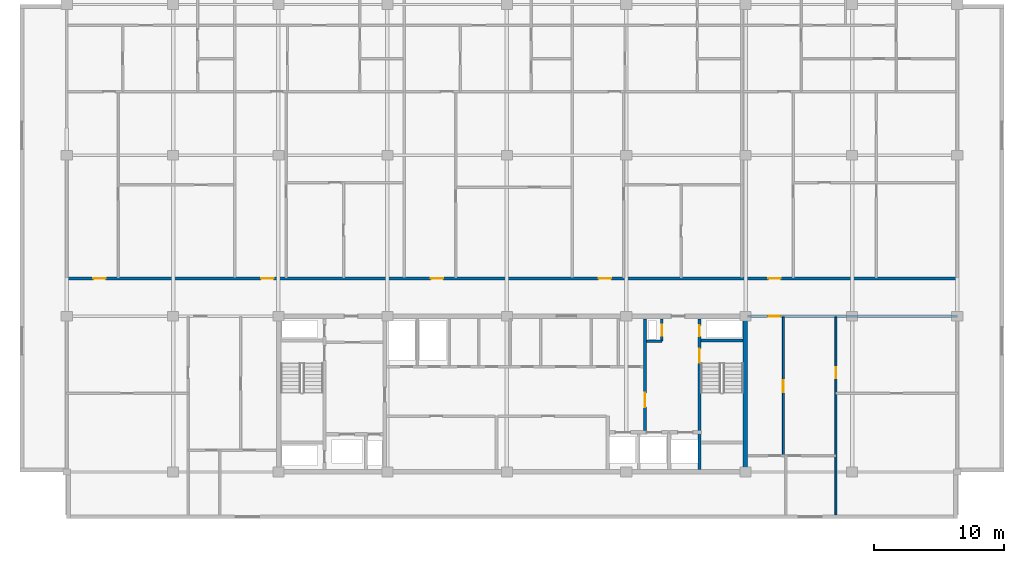
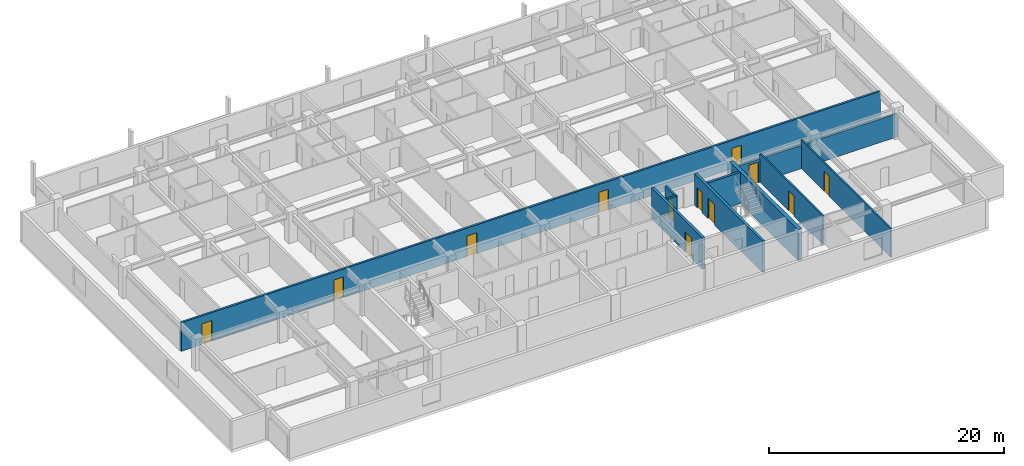
# One storey, part 6 of 11: 12 doors, 10 walls, 12 openings.
"""IFC4 building model written with IfcOpenShell, lengths in metres."""

from ifc_helpers import new_model, si_unit, direction, frame, frame_2d, origin, place, context, subcontext, project, spatial, rectangle, extrude, material, layer, layer_set, type_object, element, fill, save


model = new_model("IFC4")

# Units and contexts
model_context = context("Model", 3, precision=1e-05, world=origin(), true_north=direction((0.0, 1.0)))
body_context = subcontext(model_context, "Body", "Model", "MODEL_VIEW")
ifc_project = project(units=[si_unit("LENGTHUNIT", "METRE"), si_unit("AREAUNIT", "SQUARE_METRE"), si_unit("VOLUMEUNIT", "CUBIC_METRE"), si_unit("PLANEANGLEUNIT", "RADIAN"), si_unit("MASSUNIT", "GRAM", prefix="KILO")], contexts=[model_context])

# Site, building, storey
site_placement = place(None, origin())
site = spatial("IfcSite", under=ifc_project, at=site_placement, CompositionType="ELEMENT")
building_placement = place(site_placement, origin())
building = spatial("IfcBuilding", under=site, at=building_placement, Name="Korimba Cascade Residences", CompositionType="ELEMENT")
storey_placement = place(building_placement, frame((0.0, 0.0, 210.85009765625)))
storey = spatial("IfcBuildingStorey", under=building, at=storey_placement, Name="L61", CompositionType="ELEMENT", Elevation=210.85009765625)

# Wall
ifc_material_1 = material(Name="Concrete C65/80", Category="concrete")
ifc_layer_1 = layer(ifc_material_1, 0.35009765625)
ifc_layer_set_1 = layer_set([ifc_layer_1], Name="Concrete C65/80")
wall_type_1 = type_object("IfcWallType", Name="WAL-CORE-350", PredefinedType="SHEAR", material=ifc_layer_set_1)
wall_1_placement = place(storey_placement, frame((112.074951171875, 55.375, 0.0), z_axis=(0.0, 0.0, 1.0), x_axis=(0.0, 1.0, 0.0)))
element("IfcWall", 1, at=wall_1_placement, inside=storey, type_object=wall_type_1, Name="L61 Core Shear Wall CW-L61-T1-E", PredefinedType="SHEAR", context=body_context, shape_type="SweptSolid", body=[
    extrude(rectangle(XDim=11.64990234375, YDim=0.35009765625, at=frame_2d((5.824951171875, 0.0))), origin(), (0.0, 0.0, 1.0), 3.25),
])

# Wall, opening, door
ifc_material_2 = material(Name="Precast concrete C40/50", Category="concrete")
ifc_layer_2 = layer(ifc_material_2, 0.199951171875)
ifc_layer_set_2 = layer_set([ifc_layer_2], Name="Precast concrete C40/50")
wall_type_2 = type_object("IfcWallType", Name="WAL-IT-200", PredefinedType="PARTITIONING", material=ifc_layer_set_2)
wall_2_placement = place(storey_placement, frame((112.25, 67.199951171875, 0.0), z_axis=(0.0, 0.0, 1.0), x_axis=(1.0, 0.0, 0.0)))
wall_2 = element("IfcWall", 2, at=wall_2_placement, inside=storey, type_object=wall_type_2, Name="L61 Partition Wall WAL-L61-T1-FE-N", PredefinedType="PARTITIONING", context=body_context, shape_type="SweptSolid", body=[
    extrude(rectangle(XDim=16.14990234375, YDim=0.199951171875, at=frame_2d((8.074951171875, 0.0))), origin(), (0.0, 0.0, 1.0), 2.43310546875),
])
opening_1_placement = place(wall_2_placement, frame((1.580078125, 0.0, 0.0)))
opening_1 = element("IfcOpeningElement", 3, at=opening_1_placement, cuts=wall_2, Name="Opening D-UN1", PredefinedType="OPENING", context=body_context, shape_type="SweptSolid", body=[
    extrude(rectangle(XDim=0.949951171875, YDim=2.14990234375, at=frame_2d((0.47509765625, 1.074951171875))), frame((0.0, 0.10986328125, 0.0), z_axis=(0.0, -1.0, 0.0), x_axis=(1.0, 0.0, 0.0)), (0.0, 0.0, 1.0), 0.219970703125),
])
ifc_material_3 = material(Name="Fire-Rated Hardwood Apartment Entrance Door", Category="wood")
door_type_1 = type_object("IfcDoorType", Name="DR-FD60-950", OperationType="NOTDEFINED", PredefinedType="DOOR", material=ifc_material_3)
door_1_placement = place(opening_1_placement, origin())
door_1 = element("IfcDoor", 4, at=door_1_placement, inside=storey, type_object=door_type_1, Name="L61-T1-FE Entrance Door", OperationType="SINGLE_SWING_LEFT", OverallHeight=2.14990234375, OverallWidth=0.949951171875, PredefinedType="DOOR", context=body_context, shape_type="SweptSolid", body=[
    extrude(rectangle(XDim=0.949951171875, YDim=2.14990234375, at=frame_2d((0.47509765625, 1.074951171875))), frame((0.0, 0.02490234375, 0.0), z_axis=(0.0, -1.0, 0.0), x_axis=(1.0, 0.0, 0.0)), (0.0, 0.0, 1.0), 0.050048828125),
])
fill(opening_1, door_1)

# Wall, openings, doors
wall_3_placement = place(storey_placement, frame((59.800048828125, 70.10009765625, 0.0), z_axis=(0.0, 0.0, 1.0), x_axis=(1.0, 0.0, 0.0)))
wall_3 = element("IfcWall", 5, at=wall_3_placement, inside=storey, type_object=wall_type_2, Name="L61 Partition Wall WAL-L61-T1-CORN", PredefinedType="PARTITIONING", context=body_context, shape_type="SweptSolid", body=[
    extrude(rectangle(XDim=68.599853515625, YDim=0.199951171875, at=frame_2d((34.2998046875, 0.0))), origin(), (0.0, 0.0, 1.0), 2.969970703125),
])
opening_2_placement = place(wall_3_placement, frame((2.044921875, 0.0, 0.0)))
opening_2 = element("IfcOpeningElement", 6, at=opening_2_placement, cuts=wall_3, Name="Opening D-UN1", PredefinedType="OPENING", context=body_context, shape_type="SweptSolid", body=[
    extrude(rectangle(XDim=0.949951171875, YDim=2.14990234375, at=frame_2d((0.47509765625, 1.074951171875))), frame((0.0, 0.10986328125, 0.0), z_axis=(0.0, -1.0, 0.0), x_axis=(1.0, 0.0, 0.0)), (0.0, 0.0, 1.0), 0.219970703125),
])
opening_3_placement = place(wall_3_placement, frame((14.981201171875, 0.0, 0.0)))
opening_3 = element("IfcOpeningElement", 7, at=opening_3_placement, cuts=wall_3, Name="Opening D-UN1", PredefinedType="OPENING", context=body_context, shape_type="SweptSolid", body=[
    extrude(rectangle(XDim=0.949951171875, YDim=2.14990234375, at=frame_2d((0.47509765625, 1.074951171875))), frame((0.0, 0.10986328125, 0.0), z_axis=(0.0, -1.0, 0.0), x_axis=(1.0, 0.0, 0.0)), (0.0, 0.0, 1.0), 0.219970703125),
])
opening_4_placement = place(wall_3_placement, frame((28.044921875, 0.0, 0.0)))
opening_4 = element("IfcOpeningElement", 8, at=opening_4_placement, cuts=wall_3, Name="Opening D-UN1", PredefinedType="OPENING", context=body_context, shape_type="SweptSolid", body=[
    extrude(rectangle(XDim=0.949951171875, YDim=2.14990234375, at=frame_2d((0.47509765625, 1.074951171875))), frame((0.0, 0.10986328125, 0.0), z_axis=(0.0, -1.0, 0.0), x_axis=(1.0, 0.0, 0.0)), (0.0, 0.0, 1.0), 0.219970703125),
])
opening_5_placement = place(wall_3_placement, frame((40.981201171875, 0.0, 0.0)))
opening_5 = element("IfcOpeningElement", 9, at=opening_5_placement, cuts=wall_3, Name="Opening D-UN1", PredefinedType="OPENING", context=body_context, shape_type="SweptSolid", body=[
    extrude(rectangle(XDim=0.949951171875, YDim=2.14990234375, at=frame_2d((0.47509765625, 1.074951171875))), frame((0.0, 0.10986328125, 0.0), z_axis=(0.0, -1.0, 0.0), x_axis=(1.0, 0.0, 0.0)), (0.0, 0.0, 1.0), 0.219970703125),
])
opening_6_placement = place(wall_3_placement, frame((54.044921875, 0.0, 0.0)))
opening_6 = element("IfcOpeningElement", 10, at=opening_6_placement, cuts=wall_3, Name="Opening D-UN1", PredefinedType="OPENING", context=body_context, shape_type="SweptSolid", body=[
    extrude(rectangle(XDim=0.949951171875, YDim=2.14990234375, at=frame_2d((0.47509765625, 1.074951171875))), frame((0.0, 0.10986328125, 0.0), z_axis=(0.0, -1.0, 0.0), x_axis=(1.0, 0.0, 0.0)), (0.0, 0.0, 1.0), 0.219970703125),
])
door_2_placement = place(opening_2_placement, origin())
door_2 = element("IfcDoor", 11, at=door_2_placement, inside=storey, type_object=door_type_1, Name="Unit L61-T1-U01 Entrance Door", OperationType="SINGLE_SWING_RIGHT", OverallHeight=2.14990234375, OverallWidth=0.949951171875, PredefinedType="DOOR", context=body_context, shape_type="SweptSolid", body=[
    extrude(rectangle(XDim=0.949951171875, YDim=2.14990234375, at=frame_2d((0.47509765625, 1.074951171875))), frame((0.0, 0.02490234375, 0.0), z_axis=(0.0, -1.0, 0.0), x_axis=(1.0, 0.0, 0.0)), (0.0, 0.0, 1.0), 0.050048828125),
])
fill(opening_2, door_2)
door_3_placement = place(opening_3_placement, origin())
door_3 = element("IfcDoor", 12, at=door_3_placement, inside=storey, type_object=door_type_1, Name="Unit L61-T1-U02 Entrance Door", OperationType="SINGLE_SWING_LEFT", OverallHeight=2.14990234375, OverallWidth=0.949951171875, PredefinedType="DOOR", context=body_context, shape_type="SweptSolid", body=[
    extrude(rectangle(XDim=0.949951171875, YDim=2.14990234375, at=frame_2d((0.47509765625, 1.074951171875))), frame((0.0, 0.02490234375, 0.0), z_axis=(0.0, -1.0, 0.0), x_axis=(1.0, 0.0, 0.0)), (0.0, 0.0, 1.0), 0.050048828125),
])
fill(opening_3, door_3)
door_4_placement = place(opening_4_placement, origin())
door_4 = element("IfcDoor", 13, at=door_4_placement, inside=storey, type_object=door_type_1, Name="Unit L61-T1-U03 Entrance Door", OperationType="SINGLE_SWING_RIGHT", OverallHeight=2.14990234375, OverallWidth=0.949951171875, PredefinedType="DOOR", context=body_context, shape_type="SweptSolid", body=[
    extrude(rectangle(XDim=0.949951171875, YDim=2.14990234375, at=frame_2d((0.47509765625, 1.074951171875))), frame((0.0, 0.02490234375, 0.0), z_axis=(0.0, -1.0, 0.0), x_axis=(1.0, 0.0, 0.0)), (0.0, 0.0, 1.0), 0.050048828125),
])
fill(opening_4, door_4)
door_5_placement = place(opening_5_placement, origin())
door_5 = element("IfcDoor", 14, at=door_5_placement, inside=storey, type_object=door_type_1, Name="Unit L61-T1-U04 Entrance Door", OperationType="SINGLE_SWING_LEFT", OverallHeight=2.14990234375, OverallWidth=0.949951171875, PredefinedType="DOOR", context=body_context, shape_type="SweptSolid", body=[
    extrude(rectangle(XDim=0.949951171875, YDim=2.14990234375, at=frame_2d((0.47509765625, 1.074951171875))), frame((0.0, 0.02490234375, 0.0), z_axis=(0.0, -1.0, 0.0), x_axis=(1.0, 0.0, 0.0)), (0.0, 0.0, 1.0), 0.050048828125),
])
fill(opening_5, door_5)
door_6_placement = place(opening_6_placement, origin())
door_6 = element("IfcDoor", 15, at=door_6_placement, inside=storey, type_object=door_type_1, Name="Unit L61-T1-U05 Entrance Door", OperationType="SINGLE_SWING_RIGHT", OverallHeight=2.14990234375, OverallWidth=0.949951171875, PredefinedType="DOOR", context=body_context, shape_type="SweptSolid", body=[
    extrude(rectangle(XDim=0.949951171875, YDim=2.14990234375, at=frame_2d((0.47509765625, 1.074951171875))), frame((0.0, 0.02490234375, 0.0), z_axis=(0.0, -1.0, 0.0), x_axis=(1.0, 0.0, 0.0)), (0.0, 0.0, 1.0), 0.050048828125),
])
fill(opening_6, door_6)

# Wall, opening, door
ifc_material_4 = material(Name="Insulated Acoustic Stud Partition", Category="gypsum")
ifc_layer_3 = layer(ifc_material_4, 0.14990234375)
ifc_layer_set_3 = layer_set([ifc_layer_3], Name="Insulated Acoustic Stud Partition")
wall_type_3 = type_object("IfcWallType", Name="WAL-PART-150", PredefinedType="PARTITIONING", material=ifc_layer_set_3)
wall_4_placement = place(storey_placement, frame((119.050048828125, 51.89990234375, 0.0), z_axis=(0.0, 0.0, 1.0), x_axis=(0.0, 1.0, 0.0)))
wall_4 = element("IfcWall", 16, at=wall_4_placement, inside=storey, type_object=wall_type_3, Name="L61 Partition Wall WAL-L61-T1-FE-STV", PredefinedType="PARTITIONING", context=body_context, shape_type="SweptSolid", body=[
    extrude(rectangle(XDim=15.25, YDim=0.14990234375, at=frame_2d((7.625, 0.0))), origin(), (0.0, 0.0, 1.0), 2.969970703125),
])
opening_7_placement = place(wall_4_placement, frame((10.5, 0.0, 0.0)))
opening_7 = element("IfcOpeningElement", 17, at=opening_7_placement, cuts=wall_4, Name="Opening D-IN2", PredefinedType="OPENING", context=body_context, shape_type="SweptSolid", body=[
    extrude(rectangle(XDim=0.8798828125, YDim=2.06005859375, at=frame_2d((0.43994140625, 1.030029296875))), frame((0.0, 0.0849609375, 0.0), z_axis=(0.0, -1.0, 0.0), x_axis=(1.0, 0.0, 0.0)), (0.0, 0.0, 1.0), 0.169921875),
])
ifc_material_5 = material(Name="Acoustic Timber Bedroom Door", Category="wood")
door_type_2 = type_object("IfcDoorType", Name="DR-INT-880", OperationType="NOTDEFINED", PredefinedType="DOOR", material=ifc_material_5)
door_7_placement = place(opening_7_placement, origin())
door_7 = element("IfcDoor", 18, at=door_7_placement, inside=storey, type_object=door_type_2, Name="L61-T1-FE Study Door", OperationType="SINGLE_SWING_LEFT", OverallHeight=2.06005859375, OverallWidth=0.8798828125, PredefinedType="DOOR", context=body_context, shape_type="SweptSolid", body=[
    extrude(rectangle(XDim=0.8798828125, YDim=2.06005859375, at=frame_2d((0.43994140625, 1.030029296875))), frame((0.0, 0.02490234375, 0.0), z_axis=(0.0, -1.0, 0.0), x_axis=(1.0, 0.0, 0.0)), (0.0, 0.0, 1.0), 0.050048828125),
])
fill(opening_7, door_7)

wall_5_placement = place(storey_placement, frame((115.0, 56.449951171875, 0.0), z_axis=(0.0, 0.0, 1.0), x_axis=(0.0, 1.0, 0.0)))
wall_5 = element("IfcWall", 19, at=wall_5_placement, inside=storey, type_object=wall_type_3, Name="L61 Partition Wall WAL-L61-T1-FE-VN", PredefinedType="PARTITIONING", context=body_context, shape_type="SweptSolid", body=[
    extrude(rectangle(XDim=10.699951171875, YDim=0.14990234375, at=frame_2d((5.35009765625, 0.0))), origin(), (0.0, 0.0, 1.0), 2.969970703125),
])
opening_8_placement = place(wall_5_placement, frame((4.889892578125, 0.0, 0.0)))
opening_8 = element("IfcOpeningElement", 20, at=opening_8_placement, cuts=wall_5, Name="Opening D-IN1", PredefinedType="OPENING", context=body_context, shape_type="SweptSolid", body=[
    extrude(rectangle(XDim=0.919921875, YDim=2.080078125, at=frame_2d((0.4599609375, 1.0400390625))), frame((0.0, 0.0849609375, 0.0), z_axis=(0.0, -1.0, 0.0), x_axis=(1.0, 0.0, 0.0)), (0.0, 0.0, 1.0), 0.169921875),
])
ifc_material_6 = material(Name="Acoustic Timber Living Door", Category="wood")
door_type_3 = type_object("IfcDoorType", Name="DR-INT-920", OperationType="NOTDEFINED", PredefinedType="DOOR", material=ifc_material_6)
door_8_placement = place(opening_8_placement, origin())
door_8 = element("IfcDoor", 21, at=door_8_placement, inside=storey, type_object=door_type_3, Name="L61-T1-FE Living Door", OperationType="SINGLE_SWING_RIGHT", OverallHeight=2.080078125, OverallWidth=0.919921875, PredefinedType="DOOR", context=body_context, shape_type="SweptSolid", body=[
    extrude(rectangle(XDim=0.919921875, YDim=2.080078125, at=frame_2d((0.4599609375, 1.0400390625))), frame((0.0, 0.02490234375, 0.0), z_axis=(0.0, -1.0, 0.0), x_axis=(1.0, 0.0, 0.0)), (0.0, 0.0, 1.0), 0.050048828125),
])
fill(opening_8, door_8)

# Wall
ifc_material_7 = material(Name="Concrete C40/50", Category="concrete")
ifc_layer_4 = layer(ifc_material_7, 0.199951171875)
ifc_layer_set_4 = layer_set([ifc_layer_4], Name="Concrete C40/50")
wall_type_4 = type_object("IfcWallType", Name="WAL-PART-200", PredefinedType="PARTITIONING", material=ifc_layer_set_4)
wall_6_placement = place(storey_placement, frame((104.449951171875, 65.280029296875, 0.0), z_axis=(0.0, 0.0, 1.0), x_axis=(1.0, 0.0, 0.0)))
element("IfcWall", 22, at=wall_6_placement, inside=storey, type_object=wall_type_4, Name="L61 Partition Wall CW-L61-T1-HYDW2S", PredefinedType="PARTITIONING", context=body_context, shape_type="SweptSolid", body=[
    extrude(rectangle(XDim=1.199951171875, YDim=0.199951171875, at=frame_2d((0.60009765625, 0.0))), origin(), (0.0, 0.0, 1.0), 2.969970703125),
])

# Wall, opening, door
wall_7_placement = place(storey_placement, frame((105.64990234375, 65.280029296875, 0.0), z_axis=(0.0, 0.0, 1.0), x_axis=(0.0, 1.0, 0.0)))
wall_7 = element("IfcWall", 23, at=wall_7_placement, inside=storey, type_object=wall_type_4, Name="L61 Partition Wall CW-L61-T1-HYDW2E", PredefinedType="PARTITIONING", context=body_context, shape_type="SweptSolid", body=[
    extrude(rectangle(XDim=1.719970703125, YDim=0.199951171875, at=frame_2d((0.85986328125, 0.0))), origin(), (0.0, 0.0, 1.0), 2.969970703125),
])
opening_9_placement = place(wall_7_placement, frame((0.39990234375, 0.0, 0.0)))
opening_9 = element("IfcOpeningElement", 24, at=opening_9_placement, cuts=wall_7, Name="Opening D-RS1", PredefinedType="OPENING", context=body_context, shape_type="SweptSolid", body=[
    extrude(rectangle(XDim=0.85009765625, YDim=2.050048828125, at=frame_2d((0.425048828125, 1.02490234375))), frame((0.0, 0.10986328125, 0.0), z_axis=(0.0, -1.0, 0.0), x_axis=(1.0, 0.0, 0.0)), (0.0, 0.0, 1.0), 0.219970703125),
])
ifc_material_8 = material(Name="Fire-Rated Steel Riser Access Door", Category="steel")
door_type_4 = type_object("IfcDoorType", Name="DR-FD60-850", OperationType="NOTDEFINED", PredefinedType="DOOR", material=ifc_material_8)
door_9_placement = place(opening_9_placement, origin())
door_9 = element("IfcDoor", 25, at=door_9_placement, inside=storey, type_object=door_type_4, Name="L61 East Hydrant Door", OperationType="SINGLE_SWING_RIGHT", OverallHeight=2.050048828125, OverallWidth=0.85009765625, PredefinedType="DOOR", context=body_context, shape_type="SweptSolid", body=[
    extrude(rectangle(XDim=0.85009765625, YDim=2.050048828125, at=frame_2d((0.425048828125, 1.02490234375))), frame((0.0, 0.02490234375, 0.0), z_axis=(0.0, -1.0, 0.0), x_axis=(1.0, 0.0, 0.0)), (0.0, 0.0, 1.0), 0.050048828125),
])
fill(opening_9, door_9)

ifc_material_9 = material(Name="Concrete C50/60", Category="concrete")
ifc_layer_5 = layer(ifc_material_9, 0.25)
ifc_layer_set_5 = layer_set([ifc_layer_5], Name="Concrete C50/60")
wall_type_5 = type_object("IfcWallType", Name="WAL-SHAFT-250", PredefinedType="SHEAR", material=ifc_layer_set_5)
wall_8_placement = place(storey_placement, frame((104.35009765625, 58.39990234375, 0.0), z_axis=(0.0, 0.0, 1.0), x_axis=(0.0, 1.0, 0.0)))
wall_8 = element("IfcWall", 26, at=wall_8_placement, inside=storey, type_object=wall_type_5, Name="L61 Core Shear Wall CW-L61-T1-LLEV", PredefinedType="SHEAR", context=body_context, shape_type="SweptSolid", body=[
    extrude(rectangle(XDim=8.60009765625, YDim=0.25, at=frame_2d((4.300048828125, 0.0))), origin(), (0.0, 0.0, 1.0), 3.25),
])
opening_10_placement = place(wall_8_placement, frame((1.800048828125, 0.0, 0.0)))
opening_10 = element("IfcOpeningElement", 27, at=opening_10_placement, cuts=wall_8, Name="Opening D-FD1", PredefinedType="OPENING", context=body_context, shape_type="SweptSolid", body=[
    extrude(rectangle(XDim=1.10009765625, YDim=2.10009765625, at=frame_2d((0.550048828125, 1.050048828125))), frame((0.0, 0.135009765625, 0.0), z_axis=(0.0, -1.0, 0.0), x_axis=(1.0, 0.0, 0.0)), (0.0, 0.0, 1.0), 0.27001953125),
])
ifc_material_10 = material(Name="Fire-Rated Steel Core Door", Category="steel")
door_type_5 = type_object("IfcDoorType", Name="DR-FD120-1100", OperationType="NOTDEFINED", PredefinedType="DOOR", material=ifc_material_10)
door_10_placement = place(opening_10_placement, origin())
door_10 = element("IfcDoor", 28, at=door_10_placement, inside=storey, type_object=door_type_5, Name="L61 Lift Lobby to East Firefighting Lobby Door", OperationType="SINGLE_SWING_LEFT", OverallHeight=2.10009765625, OverallWidth=1.10009765625, PredefinedType="DOOR", context=body_context, shape_type="SweptSolid", body=[
    extrude(rectangle(XDim=1.10009765625, YDim=2.10009765625, at=frame_2d((0.550048828125, 1.050048828125))), frame((0.0, 0.02490234375, 0.0), z_axis=(0.0, -1.0, 0.0), x_axis=(1.0, 0.0, 0.0)), (0.0, 0.0, 1.0), 0.050048828125),
])
fill(opening_10, door_10)

# Wall, openings, doors
wall_9_placement = place(storey_placement, frame((108.534912109375, 55.39990234375, 0.0), z_axis=(0.0, 0.0, 1.0), x_axis=(0.0, 1.0, 0.0)))
wall_9 = element("IfcWall", 29, at=wall_9_placement, inside=storey, type_object=wall_type_5, Name="L61 Core Shear Wall CW-L61-T1-STW2W", PredefinedType="SHEAR", context=body_context, shape_type="SweptSolid", body=[
    extrude(rectangle(XDim=11.60009765625, YDim=0.25, at=frame_2d((5.800048828125, 0.0))), origin(), (0.0, 0.0, 1.0), 3.25),
])
opening_11_placement = place(wall_9_placement, frame((8.199951171875, 0.0, 0.0)))
opening_11 = element("IfcOpeningElement", 30, at=opening_11_placement, cuts=wall_9, Name="Opening D-FD1", PredefinedType="OPENING", context=body_context, shape_type="SweptSolid", body=[
    extrude(rectangle(XDim=1.10009765625, YDim=2.10009765625, at=frame_2d((0.550048828125, 1.050048828125))), frame((0.0, 0.135009765625, 0.0), z_axis=(0.0, -1.0, 0.0), x_axis=(1.0, 0.0, 0.0)), (0.0, 0.0, 1.0), 0.27001953125),
])
opening_12_placement = place(wall_9_placement, frame((10.25, 0.0, 0.0)))
opening_12 = element("IfcOpeningElement", 31, at=opening_12_placement, cuts=wall_9, Name="Opening D-RS1", PredefinedType="OPENING", context=body_context, shape_type="SweptSolid", body=[
    extrude(rectangle(XDim=0.85009765625, YDim=2.050048828125, at=frame_2d((0.425048828125, 1.02490234375))), frame((0.0, 0.135009765625, 0.0), z_axis=(0.0, -1.0, 0.0), x_axis=(1.0, 0.0, 0.0)), (0.0, 0.0, 1.0), 0.27001953125),
])
door_11_placement = place(opening_11_placement, origin())
door_11 = element("IfcDoor", 32, at=door_11_placement, inside=storey, type_object=door_type_5, Name="L61 Fire Stair ST-W2 Door", OperationType="SINGLE_SWING_RIGHT", OverallHeight=2.10009765625, OverallWidth=1.10009765625, PredefinedType="DOOR", context=body_context, shape_type="SweptSolid", body=[
    extrude(rectangle(XDim=1.10009765625, YDim=2.10009765625, at=frame_2d((0.550048828125, 1.050048828125))), frame((0.0, 0.02490234375, 0.0), z_axis=(0.0, -1.0, 0.0), x_axis=(1.0, 0.0, 0.0)), (0.0, 0.0, 1.0), 0.050048828125),
])
fill(opening_11, door_11)
door_12_placement = place(opening_12_placement, origin())
door_12 = element("IfcDoor", 33, at=door_12_placement, inside=storey, type_object=door_type_4, Name="L61 East Riser Door", OperationType="SINGLE_SWING_LEFT", OverallHeight=2.050048828125, OverallWidth=0.85009765625, PredefinedType="DOOR", context=body_context, shape_type="SweptSolid", body=[
    extrude(rectangle(XDim=0.85009765625, YDim=2.050048828125, at=frame_2d((0.425048828125, 1.02490234375))), frame((0.0, 0.02490234375, 0.0), z_axis=(0.0, -1.0, 0.0), x_axis=(1.0, 0.0, 0.0)), (0.0, 0.0, 1.0), 0.050048828125),
])
fill(opening_12, door_12)

# Wall
wall_10_placement = place(storey_placement, frame((108.659912109375, 65.324951171875, 0.0), z_axis=(0.0, 0.0, 1.0), x_axis=(1.0, 0.0, 0.0)))
element("IfcWall", 34, at=wall_10_placement, inside=storey, type_object=wall_type_5, Name="L61 Core Shear Wall CW-L61-T1-STW2N", PredefinedType="SHEAR", context=body_context, shape_type="SweptSolid", body=[
    extrude(rectangle(XDim=3.239990234375, YDim=0.25, at=frame_2d((1.6201171875, 0.0))), origin(), (0.0, 0.0, 1.0), 3.25),
])

save(model, "model.ifc")
